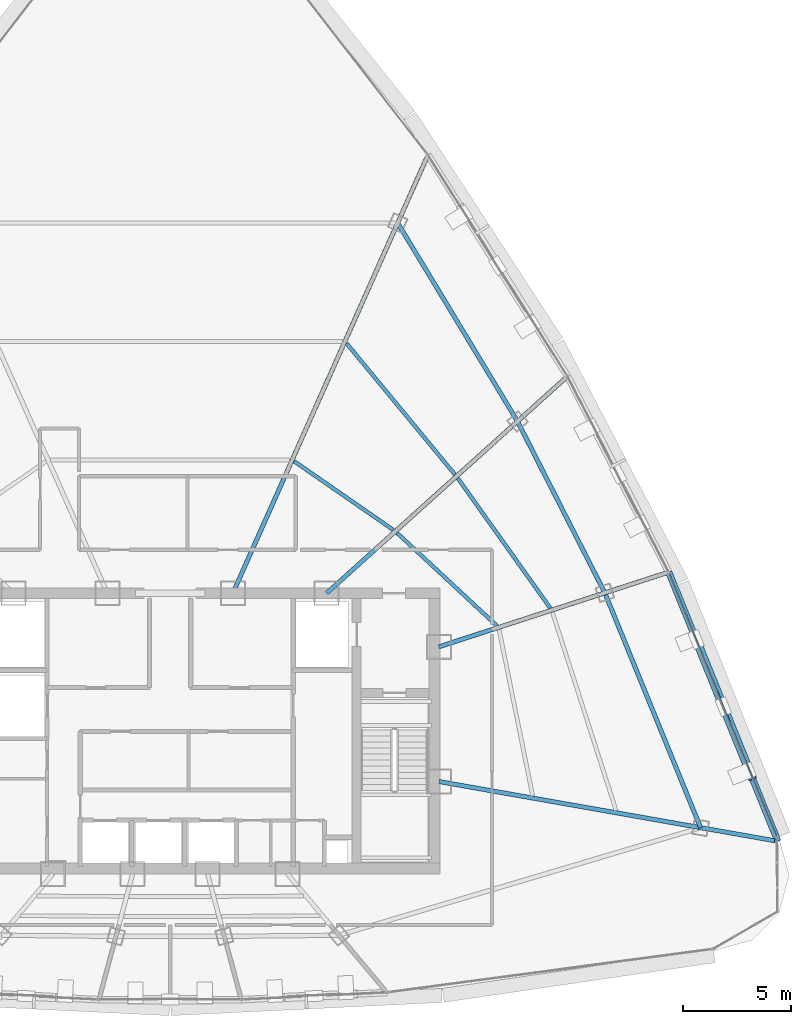
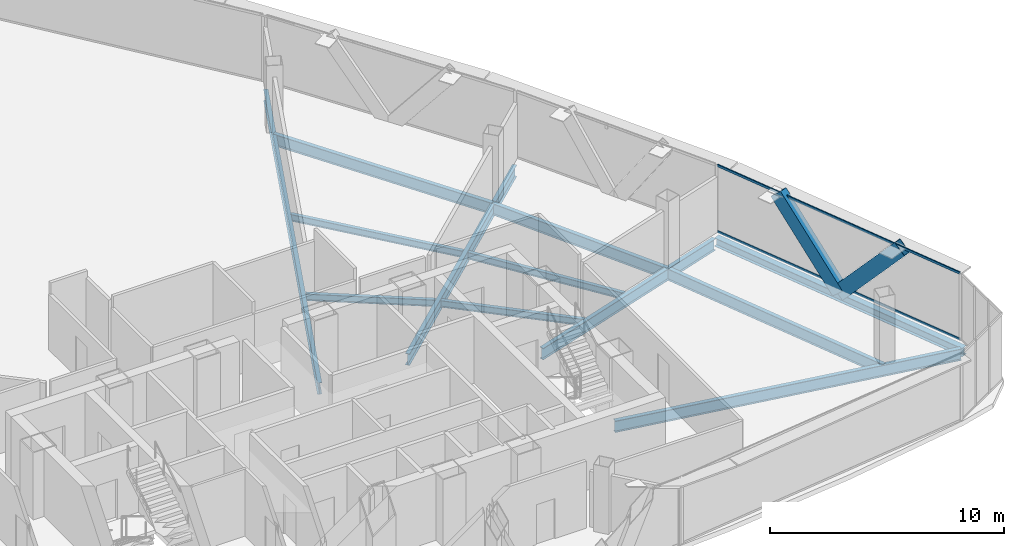
# One storey, part 14 of 27: 12 beams, 4 members, 1 element without a shape of its own.
"""IFC4 building model written with IfcOpenShell, lengths in metres."""

from ifc_helpers import new_model, si_unit, direction, frame, origin, origin_2d, place, context, subcontext, project, spatial, hollow_rectangle, i_section, extrude, source, transform, mapped, material, layer, layer_set, material_profile, profile_set, type_object, element, aggregate, save


model = new_model("IFC4")

# Units and contexts
model_context = context("Model", 3, precision=1e-05, world=origin(), true_north=direction((0.0, 1.0)))
body_context = subcontext(model_context, "Body", "Model", "MODEL_VIEW")
ifc_project = project(units=[si_unit("LENGTHUNIT", "METRE"), si_unit("AREAUNIT", "SQUARE_METRE"), si_unit("VOLUMEUNIT", "CUBIC_METRE"), si_unit("PLANEANGLEUNIT", "RADIAN"), si_unit("MASSUNIT", "GRAM", prefix="KILO"), si_unit("THERMODYNAMICTEMPERATUREUNIT", "KELVIN"), si_unit("POWERUNIT", "WATT")], contexts=[model_context])

# Site, building, storey
site_placement = place(None, origin())
site = spatial("IfcSite", under=ifc_project, at=site_placement, CompositionType="ELEMENT")
building_placement = place(site_placement, origin())
building = spatial("IfcBuilding", under=site, at=building_placement, Name="Yunzhuo Pagoda Commons", CompositionType="ELEMENT")
storey_placement = place(building_placement, frame((0.0, 0.0, 344.260009765625)))
storey = spatial("IfcBuildingStorey", under=building, at=storey_placement, Name="L86", CompositionType="ELEMENT", Elevation=344.260009765625)

# Beams
ifc_material_1 = material(Name="Structural steel Q355B", Category="steel")
ifc_material_profile_1 = material_profile(ifc_material_1, i_section(OverallWidth=0.199951171875, OverallDepth=0.60009765625, WebThickness=0.010986328125, FlangeThickness=0.01708984375, at=origin_2d()), Name="Structural steel Q355B")
ifc_profile_set_1 = profile_set([ifc_material_profile_1], Name="Structural steel Q355B")
beam_type_1 = type_object("IfcBeamType", Name="B-RG3 Beam HN 600x200x11x17", PredefinedType="BEAM", material=ifc_profile_set_1)
shared_shape_1 = source(origin(), body_context, "Body", "SweptSolid", [
    extrude(i_section(OverallWidth=0.199951171875, OverallDepth=0.60009765625, WebThickness=0.010986328125, FlangeThickness=0.01708984375, at=origin_2d()), origin(), (0.0, 0.0, 1.0), 11.696533203125),
])
beam_1_placement = place(storey_placement, frame((72.47021484375, 29.38525390625, -0.56005859375), z_axis=(-0.377611800863, 0.925963999219, 0.0), x_axis=(-0.925963999219, -0.377611800863, 0.0)))
element("IfcBeam", 1, at=beam_1_placement, inside=storey, type_object=beam_type_1, Name="L86 column-ring beam 5", PredefinedType="BEAM", context=body_context, shape_type="MappedRepresentation", body=[
    mapped(shared_shape_1, transform((0.0, 0.0, 0.0), scale=1.0)),
])
shared_shape_2 = source(origin(), body_context, "Body", "SweptSolid", [
    extrude(i_section(OverallWidth=0.199951171875, OverallDepth=0.60009765625, WebThickness=0.010986328125, FlangeThickness=0.01708984375, at=origin_2d()), origin(), (0.0, 0.0, 1.0), 8.87939453125),
])
beam_2_placement = place(storey_placement, frame((68.053466796875, 40.2158203125, -0.56005859375), z_axis=(-0.453723535687, 0.891142498798, 0.0), x_axis=(-0.891142498798, -0.453723535687, 0.0)))
element("IfcBeam", 2, at=beam_2_placement, inside=storey, type_object=beam_type_1, Name="L86 column-ring beam 6", PredefinedType="BEAM", context=body_context, shape_type="MappedRepresentation", body=[
    mapped(shared_shape_2, transform((0.0, 0.0, 0.0), scale=1.0)),
])
shared_shape_3 = source(origin(), body_context, "Body", "SweptSolid", [
    extrude(i_section(OverallWidth=0.199951171875, OverallDepth=0.60009765625, WebThickness=0.010986328125, FlangeThickness=0.01708984375, at=origin_2d()), origin(), (0.0, 0.0, 1.0), 10.691162109375),
])
beam_3_placement = place(storey_placement, frame((64.024658203125, 48.128662109375, -0.56005859375), z_axis=(-0.516864678433, 0.856067114301, 0.0), x_axis=(-0.856067114301, -0.516864678433, 0.0)))
element("IfcBeam", 3, at=beam_3_placement, inside=storey, type_object=beam_type_1, Name="L86 column-ring beam 7", PredefinedType="BEAM", context=body_context, shape_type="MappedRepresentation", body=[
    mapped(shared_shape_3, transform((0.0, 0.0, 0.0), scale=1.0)),
])
ifc_material_profile_2 = material_profile(ifc_material_1, i_section(OverallWidth=0.175048828125, OverallDepth=0.35009765625, WebThickness=0.007080078125, FlangeThickness=0.010986328125, at=origin_2d()), Name="Structural steel Q355B")
ifc_profile_set_2 = profile_set([ifc_material_profile_2], Name="Structural steel Q355B")
beam_type_2 = type_object("IfcBeamType", Name="B-JS2 Joist HN 350x175x7x11", PredefinedType="JOIST", material=ifc_profile_set_2)
shared_shape_4 = source(origin(), body_context, "Body", "SweptSolid", [
    extrude(i_section(OverallWidth=0.175048828125, OverallDepth=0.35009765625, WebThickness=0.007080078125, FlangeThickness=0.010986328125, at=origin_2d()), origin(), (0.0, 0.0, 1.0), 6.277099609375),
])
beam_4_placement = place(storey_placement, frame((63.071044921875, 38.702392578125, -0.43505859375), z_axis=(-0.73244154109, 0.68082992655, 0.0), x_axis=(-0.68082992655, -0.73244154109, 0.0)))
element("IfcBeam", 4, at=beam_4_placement, inside=storey, type_object=beam_type_2, Name="L86 composite ring joist 1.6", PredefinedType="JOIST", context=body_context, shape_type="MappedRepresentation", body=[
    mapped(shared_shape_4, transform((0.0, 0.0, 0.0), scale=1.0)),
])
shared_shape_5 = source(origin(), body_context, "Body", "SweptSolid", [
    extrude(i_section(OverallWidth=0.175048828125, OverallDepth=0.35009765625, WebThickness=0.007080078125, FlangeThickness=0.010986328125, at=origin_2d()), origin(), (0.0, 0.0, 1.0), 7.347900390625),
])
beam_5_placement = place(storey_placement, frame((65.53759765625, 39.513671875, -0.43505859375), z_axis=(-0.580294898948, 0.814406428177, 0.0), x_axis=(-0.814406428177, -0.580294898948, 0.0)))
element("IfcBeam", 5, at=beam_5_placement, inside=storey, type_object=beam_type_2, Name="L86 composite ring joist 2.6", PredefinedType="JOIST", context=body_context, shape_type="MappedRepresentation", body=[
    mapped(shared_shape_5, transform((0.0, 0.0, 0.0), scale=1.0)),
])
shared_shape_6 = source(origin(), body_context, "Body", "SweptSolid", [
    extrude(i_section(OverallWidth=0.175048828125, OverallDepth=0.35009765625, WebThickness=0.007080078125, FlangeThickness=0.010986328125, at=origin_2d()), origin(), (0.0, 0.0, 1.0), 5.556640625),
])
beam_6_placement = place(storey_placement, frame((58.29443359375, 43.119873046875, -0.43505859375), z_axis=(-0.822084621883, 0.569365326011, 0.0), x_axis=(-0.569365326011, -0.822084621883, 0.0)))
element("IfcBeam", 6, at=beam_6_placement, inside=storey, type_object=beam_type_2, Name="L86 composite ring joist 1.7", PredefinedType="JOIST", context=body_context, shape_type="MappedRepresentation", body=[
    mapped(shared_shape_6, transform((0.0, 0.0, 0.0), scale=1.0)),
])
shared_shape_7 = source(origin(), body_context, "Body", "SweptSolid", [
    extrude(i_section(OverallWidth=0.175048828125, OverallDepth=0.35009765625, WebThickness=0.007080078125, FlangeThickness=0.010986328125, at=origin_2d()), origin(), (0.0, 0.0, 1.0), 7.842529296875),
])
beam_7_placement = place(storey_placement, frame((61.133544921875, 45.68017578125, -0.43505859375), z_axis=(-0.636899145749, 0.770947130577, 0.0), x_axis=(-0.770947130577, -0.636899145749, 0.0)))
element("IfcBeam", 7, at=beam_7_placement, inside=storey, type_object=beam_type_2, Name="L86 composite ring joist 2.7", PredefinedType="JOIST", context=body_context, shape_type="MappedRepresentation", body=[
    mapped(shared_shape_7, transform((0.0, 0.0, 0.0), scale=1.0)),
])
shared_shape_8 = source(origin(), body_context, "Body", "SweptSolid", [
    extrude(i_section(OverallWidth=0.199951171875, OverallDepth=0.60009765625, WebThickness=0.010986328125, FlangeThickness=0.01708984375, at=origin_2d()), origin(), (0.0, 0.0, 1.0), 15.72412109375),
])
beam_8_placement = place(storey_placement, frame((75.88525390625, 28.783203125, -0.56005859375), z_axis=(-0.984810587899, 0.173632099459, 0.0), x_axis=(-0.173632099459, -0.984810587899, 0.0)))
element("IfcBeam", 8, at=beam_8_placement, inside=storey, type_object=beam_type_1, Name="L86 radial floor girder F2C1", PredefinedType="BEAM", context=body_context, shape_type="MappedRepresentation", body=[
    mapped(shared_shape_8, transform((0.0, 0.0, 0.0), scale=1.0)),
])
shared_shape_9 = source(origin(), body_context, "Body", "SweptSolid", [
    extrude(i_section(OverallWidth=0.199951171875, OverallDepth=0.60009765625, WebThickness=0.010986328125, FlangeThickness=0.01708984375, at=origin_2d()), origin(), (0.0, 0.0, 1.0), 10.99365234375),
])
beam_9_placement = place(storey_placement, frame((70.85546875, 41.126220703125, -0.56005859375), z_axis=(-0.951056587506, -0.30901677521, 0.0), x_axis=(0.30901677521, -0.951056587506, 0.0)))
element("IfcBeam", 9, at=beam_9_placement, inside=storey, type_object=beam_type_1, Name="L86 radial floor girder F2C2", PredefinedType="BEAM", context=body_context, shape_type="MappedRepresentation", body=[
    mapped(shared_shape_9, transform((0.0, 0.0, 0.0), scale=1.0)),
])
shared_shape_10 = source(origin(), body_context, "Body", "SweptSolid", [
    extrude(i_section(OverallWidth=0.199951171875, OverallDepth=0.60009765625, WebThickness=0.010986328125, FlangeThickness=0.01708984375, at=origin_2d()), origin(), (0.0, 0.0, 1.0), 14.802001953125),
])
beam_10_placement = place(storey_placement, frame((66.218994140625, 50.1044921875, -0.56005859375), z_axis=(-0.743141582684, -0.669134207828, 0.0), x_axis=(0.669134207828, -0.743141582684, 0.0)))
element("IfcBeam", 10, at=beam_10_placement, inside=storey, type_object=beam_type_1, Name="L86 radial floor girder F2C3", PredefinedType="BEAM", context=body_context, shape_type="MappedRepresentation", body=[
    mapped(shared_shape_10, transform((0.0, 0.0, 0.0), scale=1.0)),
])
shared_shape_11 = source(origin(), body_context, "Body", "SweptSolid", [
    extrude(i_section(OverallWidth=0.199951171875, OverallDepth=0.60009765625, WebThickness=0.010986328125, FlangeThickness=0.01708984375, at=origin_2d()), origin(), (0.0, 0.0, 1.0), 21.975341796875),
])
beam_11_placement = place(storey_placement, frame((59.832275390625, 60.275390625, -0.56005859375), z_axis=(-0.406739335942, -0.913544258697, 0.0), x_axis=(0.913544258697, -0.406739335942, 0.0)))
element("IfcBeam", 11, at=beam_11_placement, inside=storey, type_object=beam_type_1, Name="L86 radial floor girder F2C4", PredefinedType="BEAM", context=body_context, shape_type="MappedRepresentation", body=[
    mapped(shared_shape_11, transform((0.0, 0.0, 0.0), scale=1.0)),
])
ifc_material_profile_3 = material_profile(ifc_material_1, i_section(OverallWidth=0.300048828125, OverallDepth=0.43994140625, WebThickness=0.010986328125, FlangeThickness=0.01806640625, at=origin_2d()), Name="Structural steel Q355B")
ifc_profile_set_3 = profile_set([ifc_material_profile_3], Name="Structural steel Q355B")
beam_type_3 = type_object("IfcBeamType", Name="B-SP2 Beam HM 440x300x11x18", PredefinedType="BEAM", material=ifc_profile_set_3)
shared_shape_12 = source(origin(), body_context, "Body", "SweptSolid", [
    extrude(i_section(OverallWidth=0.300048828125, OverallDepth=0.43994140625, WebThickness=0.010986328125, FlangeThickness=0.01806640625, at=origin_2d()), origin(), (0.0, 0.0, 1.0), 13.399658203125),
])
beam_12_placement = place(storey_placement, frame((76.0380859375, 28.75634765625, -0.47998046875), z_axis=(-0.3757655854, 0.926714748361, 0.0), x_axis=(-0.926714748361, -0.3757655854, 0.0)))
element("IfcBeam", 12, at=beam_12_placement, inside=storey, type_object=beam_type_3, Name="L86 facade edge spandrel beam F2.1", PredefinedType="BEAM", context=body_context, shape_type="MappedRepresentation", body=[
    mapped(shared_shape_12, transform((0.0, 0.0, 0.0), scale=1.0)),
])

# Members
ifc_material_profile_4 = material_profile(ifc_material_1, hollow_rectangle(XDim=0.3798828125, YDim=0.719970703125, WallThickness=0.02001953125, at=origin_2d()), Name="Structural steel Q355B")
ifc_profile_set_4 = profile_set([ifc_material_profile_4], Name="Structural steel Q355B")
member_type_1 = type_object("IfcMemberType", Name="M-DL3 Brace BOX 720x380x20", PredefinedType="BRACE", material=ifc_profile_set_4)
shared_shape_13 = source(origin(), body_context, "Body", "SweptSolid", [
    extrude(hollow_rectangle(XDim=0.3798828125, YDim=0.719970703125, WallThickness=0.02001953125, at=origin_2d()), origin(), (0.0, 0.0, 1.0), 5.0283203125),
])
for number, where, z_axis, x_axis, name in (
    (13, (73.5205078125, 34.965087890625, -0.260009765625), (0.250335334851, -0.617390247859, 0.745762362937), (0.92671732093, 0.375759240855, 0.0), "L86 facade diamond brace F2.1L"),
    (14, (73.5205078125, 34.965087890625, -0.260009765625), (-0.250335334851, 0.617390247859, 0.745762362937), (-0.92671732093, -0.375759240855, 0.0), "L86 facade diamond brace F2.1R"),
):
    element("IfcMember", number, at=place(storey_placement, frame(where, z_axis=z_axis, x_axis=x_axis)), inside=storey, type_object=member_type_1, Name=name, PredefinedType="BRACE", context=body_context, shape_type="MappedRepresentation", body=[
        mapped(shared_shape_13, transform((0.0, 0.0, 0.0), scale=1.0)),
    ])

# Curtain wall, members
ifc_material_2 = material(Name="Anodized aluminium 6063-T6", Category="aluminium")
ifc_layer = layer(ifc_material_2, 0.139892578125)
ifc_layer_set = layer_set([ifc_layer], Name="Anodized aluminium 6063-T6")
curtain_wall_type = type_object("IfcCurtainWallType", Name="CW-HI High-Zone Ribbon Curtain Wall", PredefinedType="NOTDEFINED", material=ifc_layer_set)
curtain_wall_placement = place(storey_placement, origin())
curtain_wall = element("IfcCurtainWall", 15, at=curtain_wall_placement, inside=storey, type_object=curtain_wall_type, Name="L86 curtain wall CW-L86-F2B2", PredefinedType="NOTDEFINED")
ifc_material_profile_5 = material_profile(ifc_material_2, hollow_rectangle(XDim=0.054931640625, YDim=0.1201171875, WallThickness=0.00341796875, at=origin_2d()), Name="Anodized aluminium 6063-T6")
ifc_profile_set_5 = profile_set([ifc_material_profile_5], Name="Anodized aluminium 6063-T6")
member_type_2 = type_object("IfcMemberType", Name="CW-HI-T Transom RHS 120x55x3.5", PredefinedType="USERDEFINED", material=ifc_profile_set_5)
shared_shape_14 = source(origin(), body_context, "Body", "SweptSolid", [
    extrude(hollow_rectangle(XDim=0.054931640625, YDim=0.1201171875, WallThickness=0.00341796875, at=origin_2d()), origin(), (0.0, 0.0, 1.0), 13.100830078125),
])
member_1_placement = place(storey_placement, frame((75.980224609375, 28.99072265625, 0.027587890625), z_axis=(-0.378185817001, 0.925729705594, 0.0), x_axis=(-0.925729705594, -0.378185817001, 0.0)))
member_1 = element("IfcMember", 16, at=member_1_placement, type_object=member_type_2, Name="CW transom 1.1", ObjectType="TRANSOM", PredefinedType="USERDEFINED", context=body_context, shape_type="MappedRepresentation", body=[
    mapped(shared_shape_14, transform((0.0, 0.0, 0.0), scale=1.0)),
])
member_2_placement = place(storey_placement, frame((75.980224609375, 28.99072265625, 3.46240234375), z_axis=(-0.378185817001, 0.925729705594, 0.0), x_axis=(-0.925729705594, -0.378185817001, 0.0)))
member_2 = element("IfcMember", 17, at=member_2_placement, type_object=member_type_2, Name="CW transom 1.2", ObjectType="TRANSOM", PredefinedType="USERDEFINED", context=body_context, shape_type="MappedRepresentation", body=[
    mapped(shared_shape_14, transform((0.0, 0.0, 0.0), scale=1.0)),
])
aggregate(curtain_wall, [member_1, member_2])

save(model, "model.ifc")
